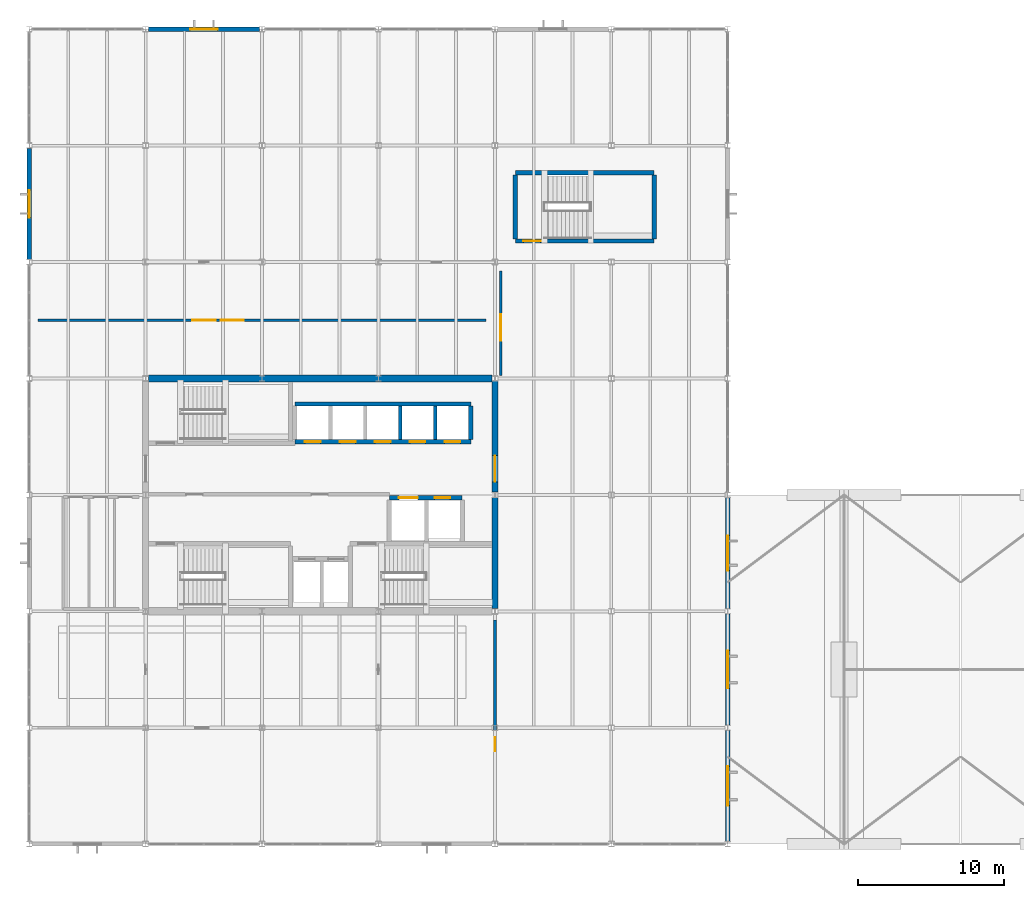
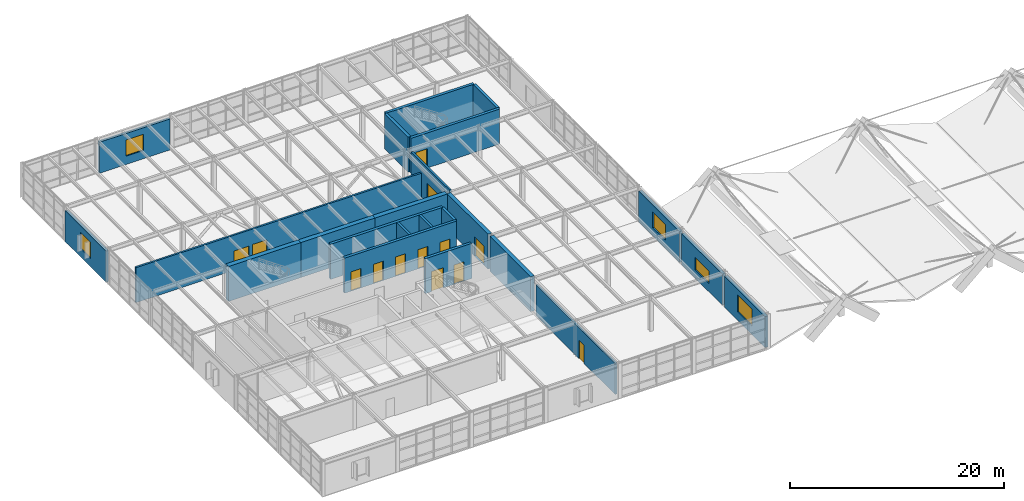
# One storey, part 43 of 50: 23 walls, 12 doors, 6 windows, 18 openings.
"""IFC4 building model written with IfcOpenShell, lengths in metres."""

from ifc_helpers import new_model, si_unit, direction, frame, frame_2d, origin, place, context, subcontext, project, spatial, rectangle, extrude, material, layer, layer_set, type_object, element, fill, save


model = new_model("IFC4")

# Units and contexts
model_context = context("Model", 3, precision=1e-05, world=origin(), true_north=direction((0.0, 1.0)))
body_context = subcontext(model_context, "Body", "Model", "MODEL_VIEW")
ifc_project = project(units=[si_unit("LENGTHUNIT", "METRE"), si_unit("AREAUNIT", "SQUARE_METRE"), si_unit("VOLUMEUNIT", "CUBIC_METRE"), si_unit("PLANEANGLEUNIT", "RADIAN"), si_unit("MASSUNIT", "GRAM", prefix="KILO")], contexts=[model_context])

# Site, building, storey
site_placement = place(None, origin())
site = spatial("IfcSite", under=ifc_project, at=site_placement, CompositionType="ELEMENT")
building_placement = place(site_placement, origin())
building = spatial("IfcBuilding", under=site, at=building_placement, Name="Varnela Railside Interchange", CompositionType="ELEMENT")
storey_placement = place(building_placement, frame((0.0, 0.0, 15.39990234375)))
storey = spatial("IfcBuildingStorey", under=building, at=storey_placement, Name="L03", CompositionType="ELEMENT", Elevation=15.39990234375)

# Wall, opening, window
ifc_material_1 = material(Name="Concrete C40 precast", Category="concrete")
ifc_layer_1 = layer(ifc_material_1, 0.320068359375)
ifc_layer_set_1 = layer_set([ifc_layer_1], Name="Concrete C40 precast")
wall_type_1 = type_object("IfcWallType", Name="Board-Formed Concrete Facade Wall EW-01", PredefinedType="STANDARD", material=ifc_layer_set_1)
wall_1_placement = place(storey_placement, frame((52.0, 61.81591796875, 0.0), z_axis=(0.0, 0.0, 1.0), x_axis=(0.0, -1.0, 0.0)))
wall_1 = element("IfcWall", 1, at=wall_1_placement, inside=storey, type_object=wall_type_1, Name="Board-Formed Concrete Facade Wall EW-01 (L03) (WL-0793)", PredefinedType="STANDARD", context=body_context, shape_type="SweptSolid", body=[
    extrude(rectangle(XDim=7.6318359375, YDim=0.320068359375, at=frame_2d((3.81591796875, 0.0))), origin(), (0.0, 0.0, 1.0), 3.5400390625),
])
opening_1_placement = place(wall_1_placement, frame((2.615966796875, 0.0, 0.949951171875)))
opening_1 = element("IfcOpeningElement", 2, at=opening_1_placement, cuts=wall_1, Name="Opening W-105", PredefinedType="OPENING", context=body_context, shape_type="SweptSolid", body=[
    extrude(rectangle(XDim=2.39990234375, YDim=1.800048828125, at=frame_2d((1.199951171875, 0.89990234375))), frame((0.0, 0.169921875, 0.0), z_axis=(0.0, -1.0, 0.0), x_axis=(1.0, 0.0, 0.0)), (0.0, 0.0, 1.0), 0.340087890625),
])
ifc_material_2 = material(Name="Glass laminated double", Category="glass")
window_type_1 = type_object("IfcWindowType", Name="Concourse Clerestory Window WN-01", PartitioningType="SINGLE_PANEL", PredefinedType="WINDOW", material=ifc_material_2)
window_1_placement = place(opening_1_placement, origin())
window_1 = element("IfcWindow", 3, at=window_1_placement, inside=storey, type_object=window_type_1, Name="Window W-105", OverallHeight=1.800048828125, OverallWidth=2.39990234375, PartitioningType="SINGLE_PANEL", PredefinedType="WINDOW", context=body_context, shape_type="SweptSolid", body=[
    extrude(rectangle(XDim=2.39990234375, YDim=1.800048828125, at=frame_2d((1.199951171875, 0.89990234375))), frame((0.0, 0.030029296875, 0.0), z_axis=(0.0, -1.0, 0.0), x_axis=(1.0, 0.0, 0.0)), (0.0, 0.0, 1.0), 0.06005859375),
])
fill(opening_1, window_1)

wall_2_placement = place(storey_placement, frame((52.0, 53.81591796875, 0.0), z_axis=(0.0, 0.0, 1.0), x_axis=(0.0, -1.0, 0.0)))
wall_2 = element("IfcWall", 4, at=wall_2_placement, inside=storey, type_object=wall_type_1, Name="Board-Formed Concrete Facade Wall EW-01 (L03) (WL-0794)", PredefinedType="STANDARD", context=body_context, shape_type="SweptSolid", body=[
    extrude(rectangle(XDim=7.6318359375, YDim=0.320068359375, at=frame_2d((3.81591796875, 0.0))), origin(), (0.0, 0.0, 1.0), 3.5400390625),
])
opening_2_placement = place(wall_2_placement, frame((2.51611328125, 0.0, 0.949951171875)))
opening_2 = element("IfcOpeningElement", 5, at=opening_2_placement, cuts=wall_2, Name="Opening W-106", PredefinedType="OPENING", context=body_context, shape_type="SweptSolid", body=[
    extrude(rectangle(XDim=2.60009765625, YDim=1.39990234375, at=frame_2d((1.300048828125, 0.699951171875))), frame((0.0, 0.169921875, 0.0), z_axis=(0.0, -1.0, 0.0), x_axis=(1.0, 0.0, 0.0)), (0.0, 0.0, 1.0), 0.340087890625),
])
window_type_2 = type_object("IfcWindowType", Name="Gallery Clerestory Strip WN-10", PartitioningType="SINGLE_PANEL", PredefinedType="WINDOW", material=ifc_material_2)
window_2_placement = place(opening_2_placement, origin())
window_2 = element("IfcWindow", 6, at=window_2_placement, inside=storey, type_object=window_type_2, Name="Window W-106", OverallHeight=1.39990234375, OverallWidth=2.60009765625, PartitioningType="SINGLE_PANEL", PredefinedType="WINDOW", context=body_context, shape_type="SweptSolid", body=[
    extrude(rectangle(XDim=2.60009765625, YDim=1.39990234375, at=frame_2d((1.300048828125, 0.699951171875))), frame((0.0, 0.030029296875, 0.0), z_axis=(0.0, -1.0, 0.0), x_axis=(1.0, 0.0, 0.0)), (0.0, 0.0, 1.0), 0.06005859375),
])
fill(opening_2, window_2)

wall_3_placement = place(storey_placement, frame((52.0, 45.81591796875, 0.0), z_axis=(0.0, 0.0, 1.0), x_axis=(0.0, -1.0, 0.0)))
wall_3 = element("IfcWall", 7, at=wall_3_placement, inside=storey, type_object=wall_type_1, Name="Board-Formed Concrete Facade Wall EW-01 (L03) (WL-0795)", PredefinedType="STANDARD", context=body_context, shape_type="SweptSolid", body=[
    extrude(rectangle(XDim=7.6318359375, YDim=0.320068359375, at=frame_2d((3.81591796875, 0.0))), origin(), (0.0, 0.0, 1.0), 3.5400390625),
])
opening_3_placement = place(wall_3_placement, frame((2.466064453125, 0.0, 0.949951171875)))
opening_3 = element("IfcOpeningElement", 8, at=opening_3_placement, cuts=wall_3, Name="Opening W-107", PredefinedType="OPENING", context=body_context, shape_type="SweptSolid", body=[
    extrude(rectangle(XDim=2.699951171875, YDim=1.949951171875, at=frame_2d((1.35009765625, 0.97509765625))), frame((0.0, 0.169921875, 0.0), z_axis=(0.0, -1.0, 0.0), x_axis=(1.0, 0.0, 0.0)), (0.0, 0.0, 1.0), 0.340087890625),
])
window_type_3 = type_object("IfcWindowType", Name="Sign-On Hall Wide Window WN-19", PartitioningType="SINGLE_PANEL", PredefinedType="WINDOW", material=ifc_material_2)
window_3_placement = place(opening_3_placement, origin())
window_3 = element("IfcWindow", 9, at=window_3_placement, inside=storey, type_object=window_type_3, Name="Window W-107", OverallHeight=1.949951171875, OverallWidth=2.699951171875, PartitioningType="SINGLE_PANEL", PredefinedType="WINDOW", context=body_context, shape_type="SweptSolid", body=[
    extrude(rectangle(XDim=2.699951171875, YDim=1.949951171875, at=frame_2d((1.35009765625, 0.97509765625))), frame((0.0, 0.030029296875, 0.0), z_axis=(0.0, -1.0, 0.0), x_axis=(1.0, 0.0, 0.0)), (0.0, 0.0, 1.0), 0.06005859375),
])
fill(opening_3, window_3)

# Wall
ifc_material_3 = material(Name="Concrete C50", Category="concrete")
ifc_layer_2 = layer(ifc_material_3, 0.39990234375)
ifc_layer_set_2 = layer_set([ifc_layer_2], Name="Concrete C50")
wall_type_2 = type_object("IfcWallType", Name="Core Coupling Shear Wall SW-02", PredefinedType="SHEAR", material=ifc_layer_set_2)
wall_4_placement = place(storey_placement, frame((36.0, 54.1875, 0.0), z_axis=(0.0, 0.0, 1.0), x_axis=(0.0, 1.0, 0.0)))
element("IfcWall", 10, at=wall_4_placement, inside=storey, type_object=wall_type_2, Name="Core Coupling Shear Wall SW-02 (L03) (WL-0758)", PredefinedType="SHEAR", context=body_context, shape_type="SweptSolid", body=[
    extrude(rectangle(XDim=7.625, YDim=0.39990234375, at=frame_2d((3.8125, 0.0))), origin(), (0.0, 0.0, 1.0), 4.0),
])

# Wall, opening, door
wall_5_placement = place(storey_placement, frame((36.0, 62.1875, 0.0), z_axis=(0.0, 0.0, 1.0), x_axis=(0.0, 1.0, 0.0)))
wall_5 = element("IfcWall", 11, at=wall_5_placement, inside=storey, type_object=wall_type_2, Name="Core Coupling Shear Wall SW-02 (L03) (WL-0759)", PredefinedType="SHEAR", context=body_context, shape_type="SweptSolid", body=[
    extrude(rectangle(XDim=7.625, YDim=0.39990234375, at=frame_2d((3.8125, 0.0))), origin(), (0.0, 0.0, 1.0), 4.0),
])
opening_4_placement = place(wall_5_placement, frame((0.7119140625, 0.0, 0.0)))
opening_4 = element("IfcOpeningElement", 12, at=opening_4_placement, cuts=wall_5, Name="Opening D-242", PredefinedType="OPENING", context=body_context, shape_type="SweptSolid", body=[
    extrude(rectangle(XDim=1.800048828125, YDim=2.199951171875, at=frame_2d((0.89990234375, 1.10009765625))), frame((0.0, 0.2099609375, 0.0), z_axis=(0.0, -1.0, 0.0), x_axis=(1.0, 0.0, 0.0)), (0.0, 0.0, 1.0), 0.419921875),
])
ifc_material_4 = material(Name="Steel AR 350 (350 MPa)", Category="steel")
door_type_1 = type_object("IfcDoorType", Name="DR-DBL-1800-FD60", OperationType="DOUBLE_DOOR_SINGLE_SWING", PredefinedType="DOOR", material=ifc_material_4)
door_1_placement = place(opening_4_placement, origin())
door_1 = element("IfcDoor", 13, at=door_1_placement, inside=storey, type_object=door_type_1, Name="Door D-242", OperationType="DOUBLE_DOOR_SINGLE_SWING", OverallHeight=2.199951171875, OverallWidth=1.800048828125, PredefinedType="DOOR", context=body_context, shape_type="SweptSolid", body=[
    extrude(rectangle(XDim=1.800048828125, YDim=2.199951171875, at=frame_2d((0.89990234375, 1.10009765625))), frame((0.0, 0.02490234375, 0.0), z_axis=(0.0, -1.0, 0.0), x_axis=(1.0, 0.0, 0.0)), (0.0, 0.0, 1.0), 0.050048828125),
])
fill(opening_4, door_1)

# Walls
ifc_layer_3 = layer(ifc_material_3, 0.5)
ifc_layer_set_3 = layer_set([ifc_layer_3], Name="Concrete C50")
wall_type_3 = type_object("IfcWallType", Name="Core Primary Shear Wall SW-01", PredefinedType="SHEAR", material=ifc_layer_set_3)
wall_6_placement = place(storey_placement, frame((12.197021484375, 70.0, 0.0), z_axis=(0.0, 0.0, 1.0), x_axis=(1.0, 0.0, 0.0)))
element("IfcWall", 14, at=wall_6_placement, inside=storey, type_object=wall_type_3, Name="Core Primary Shear Wall SW-01 (L03) (WL-0775)", PredefinedType="SHEAR", context=body_context, shape_type="SweptSolid", body=[
    extrude(rectangle(XDim=7.802978515625, YDim=0.5, at=frame_2d((3.9013671875, 0.0))), origin(), (0.0, 0.0, 1.0), 4.0),
])
wall_7_placement = place(storey_placement, frame((20.0, 70.0, 0.0), z_axis=(0.0, 0.0, 1.0), x_axis=(1.0, 0.0, 0.0)))
element("IfcWall", 15, at=wall_7_placement, inside=storey, type_object=wall_type_3, Name="Core Primary Shear Wall SW-01 (L03) (WL-0776)", PredefinedType="SHEAR", context=body_context, shape_type="SweptSolid", body=[
    extrude(rectangle(XDim=8.0, YDim=0.5, at=frame_2d((4.0, 0.0))), origin(), (0.0, 0.0, 1.0), 4.0),
])
wall_8_placement = place(storey_placement, frame((28.0, 70.0, 0.0), z_axis=(0.0, 0.0, 1.0), x_axis=(1.0, 0.0, 0.0)))
element("IfcWall", 16, at=wall_8_placement, inside=storey, type_object=wall_type_3, Name="Core Primary Shear Wall SW-01 (L03) (WL-0777)", PredefinedType="SHEAR", context=body_context, shape_type="SweptSolid", body=[
    extrude(rectangle(XDim=7.802978515625, YDim=0.5, at=frame_2d((3.9013671875, 0.0))), origin(), (0.0, 0.0, 1.0), 4.0),
])

# Wall, openings, door, window
ifc_material_5 = material(Name="Gypsum acoustic board")
ifc_layer_4 = layer(ifc_material_5, 0.179931640625)
ifc_layer_set_4 = layer_set([ifc_layer_4], Name="Gypsum acoustic board")
wall_type_4 = type_object("IfcWallType", Name="Double-Stud Corridor Wall IW-02", PredefinedType="PARTITIONING", material=ifc_layer_set_4)
wall_9_placement = place(storey_placement, frame((4.60009765625, 74.0, 0.0), z_axis=(0.0, 0.0, 1.0), x_axis=(1.0, 0.0, 0.0)))
wall_9 = element("IfcWall", 17, at=wall_9_placement, inside=storey, type_object=wall_type_4, Name="Double-Stud Corridor Wall IW-02 (L03) (WL-0812)", PredefinedType="PARTITIONING", context=body_context, shape_type="SweptSolid", body=[
    extrude(rectangle(XDim=30.7998046875, YDim=0.199951171875, at=frame_2d((15.39990234375, 0.0))), origin(), (0.0, 0.0, 1.0), 4.0),
])
opening_5_placement = place(wall_9_placement, frame((10.60009765625, 0.0, 0.0)))
opening_5 = element("IfcOpeningElement", 18, at=opening_5_placement, cuts=wall_9, Name="Opening D-254", PredefinedType="OPENING", context=body_context, shape_type="SweptSolid", body=[
    extrude(rectangle(XDim=1.60009765625, YDim=2.199951171875, at=frame_2d((0.800048828125, 1.10009765625))), frame((0.0, 0.10986328125, 0.0), z_axis=(0.0, -1.0, 0.0), x_axis=(1.0, 0.0, 0.0)), (0.0, 0.0, 1.0), 0.219970703125),
])
opening_6_placement = place(wall_9_placement, frame((12.550048828125, 0.0, 0.949951171875)))
opening_6 = element("IfcOpeningElement", 19, at=opening_6_placement, cuts=wall_9, Name="Opening IW-016", PredefinedType="OPENING", context=body_context, shape_type="SweptSolid", body=[
    extrude(rectangle(XDim=1.60009765625, YDim=1.300048828125, at=frame_2d((0.800048828125, 0.64990234375))), frame((0.0, 0.10986328125, 0.0), z_axis=(0.0, -1.0, 0.0), x_axis=(1.0, 0.0, 0.0)), (0.0, 0.0, 1.0), 0.219970703125),
])
door_type_2 = type_object("IfcDoorType", Name="DR-DBL-1600", OperationType="DOUBLE_DOOR_SINGLE_SWING", PredefinedType="DOOR", material=ifc_material_2)
door_2_placement = place(opening_5_placement, origin())
door_2 = element("IfcDoor", 20, at=door_2_placement, inside=storey, type_object=door_type_2, Name="Door D-254", OperationType="DOUBLE_DOOR_SINGLE_SWING", OverallHeight=2.199951171875, OverallWidth=1.60009765625, PredefinedType="DOOR", context=body_context, shape_type="SweptSolid", body=[
    extrude(rectangle(XDim=1.60009765625, YDim=2.199951171875, at=frame_2d((0.800048828125, 1.10009765625))), frame((0.0, 0.02490234375, 0.0), z_axis=(0.0, -1.0, 0.0), x_axis=(1.0, 0.0, 0.0)), (0.0, 0.0, 1.0), 0.050048828125),
])
fill(opening_5, door_2)
window_type_4 = type_object("IfcWindowType", Name="Interior Acoustic Vision Window IW-WN1", PartitioningType="SINGLE_PANEL", PredefinedType="WINDOW", material=ifc_material_2)
window_4_placement = place(opening_6_placement, origin())
window_4 = element("IfcWindow", 21, at=window_4_placement, inside=storey, type_object=window_type_4, Name="Window IW-016", OverallHeight=1.300048828125, OverallWidth=1.60009765625, PartitioningType="SINGLE_PANEL", PredefinedType="WINDOW", context=body_context, shape_type="SweptSolid", body=[
    extrude(rectangle(XDim=1.60009765625, YDim=1.300048828125, at=frame_2d((0.800048828125, 0.64990234375))), frame((0.0, 0.030029296875, 0.0), z_axis=(0.0, -1.0, 0.0), x_axis=(1.0, 0.0, 0.0)), (0.0, 0.0, 1.0), 0.06005859375),
])
fill(opening_6, window_4)

# Wall, opening, door
wall_10_placement = place(storey_placement, frame((36.0, 38.60009765625, 0.0), z_axis=(0.0, 0.0, 1.0), x_axis=(0.0, 1.0, 0.0)))
wall_10 = element("IfcWall", 22, at=wall_10_placement, inside=storey, type_object=wall_type_4, Name="Double-Stud Corridor Wall IW-02 (L03) (WL-0821)", PredefinedType="PARTITIONING", context=body_context, shape_type="SweptSolid", body=[
    extrude(rectangle(XDim=14.7998046875, YDim=0.199951171875, at=frame_2d((7.39990234375, 0.0))), origin(), (0.0, 0.0, 1.0), 3.531005859375),
])
opening_7_placement = place(wall_10_placement, frame((5.800048828125, 0.0, 0.0)))
opening_7 = element("IfcOpeningElement", 23, at=opening_7_placement, cuts=wall_10, Name="Opening D-257", PredefinedType="OPENING", context=body_context, shape_type="SweptSolid", body=[
    extrude(rectangle(XDim=0.949951171875, YDim=2.10009765625, at=frame_2d((0.47509765625, 1.050048828125))), frame((0.0, 0.10986328125, 0.0), z_axis=(0.0, -1.0, 0.0), x_axis=(1.0, 0.0, 0.0)), (0.0, 0.0, 1.0), 0.219970703125),
])
ifc_material_6 = material(Name="Timber solid core", Category="wood")
door_type_3 = type_object("IfcDoorType", Name="DR-SGL-950-ACC", OperationType="NOTDEFINED", PredefinedType="DOOR", material=ifc_material_6)
door_3_placement = place(opening_7_placement, origin())
door_3 = element("IfcDoor", 24, at=door_3_placement, inside=storey, type_object=door_type_3, Name="Door D-257", OperationType="SINGLE_SWING_RIGHT", OverallHeight=2.10009765625, OverallWidth=0.949951171875, PredefinedType="DOOR", context=body_context, shape_type="SweptSolid", body=[
    extrude(rectangle(XDim=0.949951171875, YDim=2.10009765625, at=frame_2d((0.47509765625, 1.050048828125))), frame((0.0, 0.02490234375, 0.0), z_axis=(0.0, -1.0, 0.0), x_axis=(1.0, 0.0, 0.0)), (0.0, 0.0, 1.0), 0.050048828125),
])
fill(opening_7, door_3)

ifc_material_7 = material(Name="Concrete C40", Category="concrete")
ifc_layer_5 = layer(ifc_material_7, 0.199951171875)
ifc_layer_set_5 = layer_set([ifc_layer_5], Name="Concrete C40")
wall_type_5 = type_object("IfcWallType", Name="Fire Compartment Wall EI60 FW-01", PredefinedType="SOLIDWALL", material=ifc_layer_set_5)
wall_11_placement = place(storey_placement, frame((36.39990234375, 70.199951171875, 0.0), z_axis=(0.0, 0.0, 1.0), x_axis=(0.0, 1.0, 0.0)))
wall_11 = element("IfcWall", 25, at=wall_11_placement, inside=storey, type_object=wall_type_5, Name="Fire Compartment Wall EI60 FW-01 (L03) (WL-0824)", PredefinedType="SOLIDWALL", context=body_context, shape_type="SweptSolid", body=[
    extrude(rectangle(XDim=7.199951171875, YDim=0.199951171875, at=frame_2d((3.60009765625, 0.0))), origin(), (0.0, 0.0, 1.0), 4.0),
])
opening_8_placement = place(wall_11_placement, frame((2.39990234375, 0.0, 0.0)))
opening_8 = element("IfcOpeningElement", 26, at=opening_8_placement, cuts=wall_11, Name="Opening D-255", PredefinedType="OPENING", context=body_context, shape_type="SweptSolid", body=[
    extrude(rectangle(XDim=1.800048828125, YDim=2.199951171875, at=frame_2d((0.89990234375, 1.10009765625))), frame((0.0, 0.10986328125, 0.0), z_axis=(0.0, -1.0, 0.0), x_axis=(1.0, 0.0, 0.0)), (0.0, 0.0, 1.0), 0.219970703125),
])
door_4_placement = place(opening_8_placement, origin())
door_4 = element("IfcDoor", 27, at=door_4_placement, inside=storey, type_object=door_type_1, Name="Door D-255", OperationType="DOUBLE_DOOR_SINGLE_SWING", OverallHeight=2.199951171875, OverallWidth=1.800048828125, PredefinedType="DOOR", context=body_context, shape_type="SweptSolid", body=[
    extrude(rectangle(XDim=1.800048828125, YDim=2.199951171875, at=frame_2d((0.89990234375, 1.10009765625))), frame((0.0, 0.02490234375, 0.0), z_axis=(0.0, -1.0, 0.0), x_axis=(1.0, 0.0, 0.0)), (0.0, 0.0, 1.0), 0.050048828125),
])
fill(opening_8, door_4)

# Wall, opening, window
ifc_layer_6 = layer(ifc_material_1, 0.280029296875)
ifc_layer_set_6 = layer_set([ifc_layer_6], Name="Concrete C40 precast")
wall_type_6 = type_object("IfcWallType", Name="Ribbed Precast Concrete Facade Wall EW-02", PredefinedType="STANDARD", material=ifc_layer_set_6)
wall_12_placement = place(storey_placement, frame((4.0, 78.18408203125, 0.0), z_axis=(0.0, 0.0, 1.0), x_axis=(0.0, 1.0, 0.0)))
wall_12 = element("IfcWall", 28, at=wall_12_placement, inside=storey, type_object=wall_type_6, Name="Ribbed Precast Concrete Facade Wall EW-02 (L03) (WL-0789)", PredefinedType="STANDARD", context=body_context, shape_type="SweptSolid", body=[
    extrude(rectangle(XDim=7.6318359375, YDim=0.280029296875, at=frame_2d((3.81591796875, 0.0))), origin(), (0.0, 0.0, 1.0), 3.5400390625),
])
opening_9_placement = place(wall_12_placement, frame((2.865966796875, 0.0, 0.949951171875)))
opening_9 = element("IfcOpeningElement", 29, at=opening_9_placement, cuts=wall_12, Name="Opening W-101", PredefinedType="OPENING", context=body_context, shape_type="SweptSolid", body=[
    extrude(rectangle(XDim=1.89990234375, YDim=1.85009765625, at=frame_2d((0.949951171875, 0.925048828125))), frame((0.0, 0.14990234375, 0.0), z_axis=(0.0, -1.0, 0.0), x_axis=(1.0, 0.0, 0.0)), (0.0, 0.0, 1.0), 0.300048828125),
])
window_type_5 = type_object("IfcWindowType", Name="Canteen Deep-Set Window WN-11", PartitioningType="SINGLE_PANEL", PredefinedType="WINDOW", material=ifc_material_2)
window_5_placement = place(opening_9_placement, origin())
window_5 = element("IfcWindow", 30, at=window_5_placement, inside=storey, type_object=window_type_5, Name="Window W-101", OverallHeight=1.85009765625, OverallWidth=1.89990234375, PartitioningType="SINGLE_PANEL", PredefinedType="WINDOW", context=body_context, shape_type="SweptSolid", body=[
    extrude(rectangle(XDim=1.89990234375, YDim=1.85009765625, at=frame_2d((0.949951171875, 0.925048828125))), frame((0.0, 0.030029296875, 0.0), z_axis=(0.0, -1.0, 0.0), x_axis=(1.0, 0.0, 0.0)), (0.0, 0.0, 1.0), 0.06005859375),
])
fill(opening_9, window_5)

wall_13_placement = place(storey_placement, frame((12.1865234375, 94.0, 0.0), z_axis=(0.0, 0.0, 1.0), x_axis=(1.0, 0.0, 0.0)))
wall_13 = element("IfcWall", 31, at=wall_13_placement, inside=storey, type_object=wall_type_6, Name="Ribbed Precast Concrete Facade Wall EW-02 (L03) (WL-0790)", PredefinedType="STANDARD", context=body_context, shape_type="SweptSolid", body=[
    extrude(rectangle(XDim=7.626953125, YDim=0.280029296875, at=frame_2d((3.8134765625, 0.0))), origin(), (0.0, 0.0, 1.0), 3.5400390625),
])
opening_10_placement = place(wall_13_placement, frame((2.863525390625, 0.0, 0.949951171875)))
opening_10 = element("IfcOpeningElement", 32, at=opening_10_placement, cuts=wall_13, Name="Opening W-102", PredefinedType="OPENING", context=body_context, shape_type="SweptSolid", body=[
    extrude(rectangle(XDim=1.89990234375, YDim=1.85009765625, at=frame_2d((0.949951171875, 0.925048828125))), frame((0.0, 0.14990234375, 0.0), z_axis=(0.0, -1.0, 0.0), x_axis=(1.0, 0.0, 0.0)), (0.0, 0.0, 1.0), 0.300048828125),
])
window_6_placement = place(opening_10_placement, origin())
window_6 = element("IfcWindow", 33, at=window_6_placement, inside=storey, type_object=window_type_5, Name="Window W-102", OverallHeight=1.85009765625, OverallWidth=1.89990234375, PartitioningType="SINGLE_PANEL", PredefinedType="WINDOW", context=body_context, shape_type="SweptSolid", body=[
    extrude(rectangle(XDim=1.89990234375, YDim=1.85009765625, at=frame_2d((0.949951171875, 0.925048828125))), frame((0.0, 0.030029296875, 0.0), z_axis=(0.0, -1.0, 0.0), x_axis=(1.0, 0.0, 0.0)), (0.0, 0.0, 1.0), 0.06005859375),
])
fill(opening_10, window_6)

# Wall, openings, doors
ifc_layer_7 = layer(ifc_material_3, 0.300048828125)
ifc_layer_set_7 = layer_set([ifc_layer_7], Name="Concrete C50")
wall_type_7 = type_object("IfcWallType", Name="Stair & Lift Shaft Wall SW-03", PredefinedType="SHEAR", material=ifc_layer_set_7)
wall_14_placement = place(storey_placement, frame((28.75, 61.800048828125, 0.0), z_axis=(0.0, 0.0, 1.0), x_axis=(1.0, 0.0, 0.0)))
wall_14 = element("IfcWall", 34, at=wall_14_placement, inside=storey, type_object=wall_type_7, Name="Stair & Lift Shaft Wall SW-03 (L03) (WL-0765)", PredefinedType="SHEAR", context=body_context, shape_type="SweptSolid", body=[
    extrude(rectangle(XDim=5.0, YDim=0.300048828125, at=frame_2d((2.5, 0.0))), origin(), (0.0, 0.0, 1.0), 4.0),
])
opening_11_placement = place(wall_14_placement, frame((0.64990234375, 0.0, 0.0)))
opening_11 = element("IfcOpeningElement", 35, at=opening_11_placement, cuts=wall_14, Name="Opening LD-057", PredefinedType="OPENING", context=body_context, shape_type="SweptSolid", body=[
    extrude(rectangle(XDim=1.300048828125, YDim=2.300048828125, at=frame_2d((0.64990234375, 1.14990234375))), frame((0.0, 0.159912109375, 0.0), z_axis=(0.0, -1.0, 0.0), x_axis=(1.0, 0.0, 0.0)), (0.0, 0.0, 1.0), 0.320068359375),
])
opening_12_placement = place(wall_14_placement, frame((3.10009765625, 0.0, 0.0)))
opening_12 = element("IfcOpeningElement", 36, at=opening_12_placement, cuts=wall_14, Name="Opening LD-058", PredefinedType="OPENING", context=body_context, shape_type="SweptSolid", body=[
    extrude(rectangle(XDim=1.080078125, YDim=2.199951171875, at=frame_2d((0.5400390625, 1.10009765625))), frame((0.0, 0.159912109375, 0.0), z_axis=(0.0, -1.0, 0.0), x_axis=(1.0, 0.0, 0.0)), (0.0, 0.0, 1.0), 0.320068359375),
])
door_type_4 = type_object("IfcDoorType", Name="DR-LIFT-1080", OperationType="SLIDING_TO_LEFT", PredefinedType="DOOR", material=ifc_material_4)
door_5_placement = place(opening_12_placement, origin())
door_5 = element("IfcDoor", 37, at=door_5_placement, inside=storey, type_object=door_type_4, Name="Door LD-058", OperationType="SLIDING_TO_LEFT", OverallHeight=2.199951171875, OverallWidth=1.080078125, PredefinedType="DOOR", context=body_context, shape_type="SweptSolid", body=[
    extrude(rectangle(XDim=1.080078125, YDim=2.199951171875, at=frame_2d((0.5400390625, 1.10009765625))), frame((0.0, 0.02490234375, 0.0), z_axis=(0.0, -1.0, 0.0), x_axis=(1.0, 0.0, 0.0)), (0.0, 0.0, 1.0), 0.050048828125),
])
fill(opening_12, door_5)
door_type_5 = type_object("IfcDoorType", Name="DR-LIFT-1300", OperationType="SLIDING_TO_LEFT", PredefinedType="DOOR", material=ifc_material_4)
door_6_placement = place(opening_11_placement, origin())
door_6 = element("IfcDoor", 38, at=door_6_placement, inside=storey, type_object=door_type_5, Name="Door LD-057", OperationType="SLIDING_TO_LEFT", OverallHeight=2.300048828125, OverallWidth=1.300048828125, PredefinedType="DOOR", context=body_context, shape_type="SweptSolid", body=[
    extrude(rectangle(XDim=1.300048828125, YDim=2.300048828125, at=frame_2d((0.64990234375, 1.14990234375))), frame((0.0, 0.02490234375, 0.0), z_axis=(0.0, -1.0, 0.0), x_axis=(1.0, 0.0, 0.0)), (0.0, 0.0, 1.0), 0.050048828125),
])
fill(opening_11, door_6)

wall_15_placement = place(storey_placement, frame((22.25, 65.64990234375, 0.0), z_axis=(0.0, 0.0, 1.0), x_axis=(1.0, 0.0, 0.0)))
wall_15 = element("IfcWall", 39, at=wall_15_placement, inside=storey, type_object=wall_type_7, Name="Stair & Lift Shaft Wall SW-03 (L03) (WL-0773)", PredefinedType="SHEAR", context=body_context, shape_type="SweptSolid", body=[
    extrude(rectangle(XDim=12.10009765625, YDim=0.300048828125, at=frame_2d((6.050048828125, 0.0))), origin(), (0.0, 0.0, 1.0), 4.0),
])
opening_13_placement = place(wall_15_placement, frame((0.699951171875, 0.0, 0.0)))
opening_13 = element("IfcOpeningElement", 40, at=opening_13_placement, cuts=wall_15, Name="Opening LD-059", PredefinedType="OPENING", context=body_context, shape_type="SweptSolid", body=[
    extrude(rectangle(XDim=1.080078125, YDim=2.199951171875, at=frame_2d((0.5400390625, 1.10009765625))), frame((0.0, 0.159912109375, 0.0), z_axis=(0.0, -1.0, 0.0), x_axis=(1.0, 0.0, 0.0)), (0.0, 0.0, 1.0), 0.320068359375),
])
opening_14_placement = place(wall_15_placement, frame((3.10009765625, 0.0, 0.0)))
opening_14 = element("IfcOpeningElement", 41, at=opening_14_placement, cuts=wall_15, Name="Opening LD-060", PredefinedType="OPENING", context=body_context, shape_type="SweptSolid", body=[
    extrude(rectangle(XDim=1.080078125, YDim=2.199951171875, at=frame_2d((0.5400390625, 1.10009765625))), frame((0.0, 0.159912109375, 0.0), z_axis=(0.0, -1.0, 0.0), x_axis=(1.0, 0.0, 0.0)), (0.0, 0.0, 1.0), 0.320068359375),
])
opening_15_placement = place(wall_15_placement, frame((5.5, 0.0, 0.0)))
opening_15 = element("IfcOpeningElement", 42, at=opening_15_placement, cuts=wall_15, Name="Opening LD-061", PredefinedType="OPENING", context=body_context, shape_type="SweptSolid", body=[
    extrude(rectangle(XDim=1.080078125, YDim=2.199951171875, at=frame_2d((0.5400390625, 1.10009765625))), frame((0.0, 0.159912109375, 0.0), z_axis=(0.0, -1.0, 0.0), x_axis=(1.0, 0.0, 0.0)), (0.0, 0.0, 1.0), 0.320068359375),
])
opening_16_placement = place(wall_15_placement, frame((7.89990234375, 0.0, 0.0)))
opening_16 = element("IfcOpeningElement", 43, at=opening_16_placement, cuts=wall_15, Name="Opening LD-062", PredefinedType="OPENING", context=body_context, shape_type="SweptSolid", body=[
    extrude(rectangle(XDim=1.080078125, YDim=2.199951171875, at=frame_2d((0.5400390625, 1.10009765625))), frame((0.0, 0.159912109375, 0.0), z_axis=(0.0, -1.0, 0.0), x_axis=(1.0, 0.0, 0.0)), (0.0, 0.0, 1.0), 0.320068359375),
])
opening_17_placement = place(wall_15_placement, frame((10.300048828125, 0.0, 0.0)))
opening_17 = element("IfcOpeningElement", 44, at=opening_17_placement, cuts=wall_15, Name="Opening LD-063", PredefinedType="OPENING", context=body_context, shape_type="SweptSolid", body=[
    extrude(rectangle(XDim=1.080078125, YDim=2.199951171875, at=frame_2d((0.5400390625, 1.10009765625))), frame((0.0, 0.159912109375, 0.0), z_axis=(0.0, -1.0, 0.0), x_axis=(1.0, 0.0, 0.0)), (0.0, 0.0, 1.0), 0.320068359375),
])
door_7_placement = place(opening_13_placement, origin())
door_7 = element("IfcDoor", 45, at=door_7_placement, inside=storey, type_object=door_type_4, Name="Door LD-059", OperationType="SLIDING_TO_LEFT", OverallHeight=2.199951171875, OverallWidth=1.080078125, PredefinedType="DOOR", context=body_context, shape_type="SweptSolid", body=[
    extrude(rectangle(XDim=1.080078125, YDim=2.199951171875, at=frame_2d((0.5400390625, 1.10009765625))), frame((0.0, 0.02490234375, 0.0), z_axis=(0.0, -1.0, 0.0), x_axis=(1.0, 0.0, 0.0)), (0.0, 0.0, 1.0), 0.050048828125),
])
fill(opening_13, door_7)
door_8_placement = place(opening_14_placement, origin())
door_8 = element("IfcDoor", 46, at=door_8_placement, inside=storey, type_object=door_type_4, Name="Door LD-060", OperationType="SLIDING_TO_LEFT", OverallHeight=2.199951171875, OverallWidth=1.080078125, PredefinedType="DOOR", context=body_context, shape_type="SweptSolid", body=[
    extrude(rectangle(XDim=1.080078125, YDim=2.199951171875, at=frame_2d((0.5400390625, 1.10009765625))), frame((0.0, 0.02490234375, 0.0), z_axis=(0.0, -1.0, 0.0), x_axis=(1.0, 0.0, 0.0)), (0.0, 0.0, 1.0), 0.050048828125),
])
fill(opening_14, door_8)
door_9_placement = place(opening_15_placement, origin())
door_9 = element("IfcDoor", 47, at=door_9_placement, inside=storey, type_object=door_type_4, Name="Door LD-061", OperationType="SLIDING_TO_LEFT", OverallHeight=2.199951171875, OverallWidth=1.080078125, PredefinedType="DOOR", context=body_context, shape_type="SweptSolid", body=[
    extrude(rectangle(XDim=1.080078125, YDim=2.199951171875, at=frame_2d((0.5400390625, 1.10009765625))), frame((0.0, 0.02490234375, 0.0), z_axis=(0.0, -1.0, 0.0), x_axis=(1.0, 0.0, 0.0)), (0.0, 0.0, 1.0), 0.050048828125),
])
fill(opening_15, door_9)
door_10_placement = place(opening_16_placement, origin())
door_10 = element("IfcDoor", 48, at=door_10_placement, inside=storey, type_object=door_type_4, Name="Door LD-062", OperationType="SLIDING_TO_LEFT", OverallHeight=2.199951171875, OverallWidth=1.080078125, PredefinedType="DOOR", context=body_context, shape_type="SweptSolid", body=[
    extrude(rectangle(XDim=1.080078125, YDim=2.199951171875, at=frame_2d((0.5400390625, 1.10009765625))), frame((0.0, 0.02490234375, 0.0), z_axis=(0.0, -1.0, 0.0), x_axis=(1.0, 0.0, 0.0)), (0.0, 0.0, 1.0), 0.050048828125),
])
fill(opening_16, door_10)
door_11_placement = place(opening_17_placement, origin())
door_11 = element("IfcDoor", 49, at=door_11_placement, inside=storey, type_object=door_type_4, Name="Door LD-063", OperationType="SLIDING_TO_LEFT", OverallHeight=2.199951171875, OverallWidth=1.080078125, PredefinedType="DOOR", context=body_context, shape_type="SweptSolid", body=[
    extrude(rectangle(XDim=1.080078125, YDim=2.199951171875, at=frame_2d((0.5400390625, 1.10009765625))), frame((0.0, 0.02490234375, 0.0), z_axis=(0.0, -1.0, 0.0), x_axis=(1.0, 0.0, 0.0)), (0.0, 0.0, 1.0), 0.050048828125),
])
fill(opening_17, door_11)

# Walls
wall_16_placement = place(storey_placement, frame((22.25, 68.25, 0.0), z_axis=(0.0, 0.0, 1.0), x_axis=(1.0, 0.0, 0.0)))
element("IfcWall", 50, at=wall_16_placement, inside=storey, type_object=wall_type_7, Name="Stair & Lift Shaft Wall SW-03 (L03) (WL-0772)", PredefinedType="SHEAR", context=body_context, shape_type="SweptSolid", body=[
    extrude(rectangle(XDim=12.10009765625, YDim=0.300048828125, at=frame_2d((6.050048828125, 0.0))), origin(), (0.0, 0.0, 1.0), 4.0),
])
wall_17_placement = place(storey_placement, frame((34.35009765625, 65.800048828125, 0.0), z_axis=(0.0, 0.0, 1.0), x_axis=(0.0, 1.0, 0.0)))
element("IfcWall", 51, at=wall_17_placement, inside=storey, type_object=wall_type_7, Name="Stair & Lift Shaft Wall SW-03 (L03) (WL-0771)", PredefinedType="SHEAR", context=body_context, shape_type="SweptSolid", body=[
    extrude(rectangle(XDim=2.300048828125, YDim=0.300048828125, at=frame_2d((1.14990234375, 0.0))), origin(), (0.0, 0.0, 1.0), 4.0),
])
for number, where, z_axis, x_axis, name in (
    (52, (29.5, 65.800048828125, 0.0), (0.0, 0.0, 1.0), (0.0, 1.0, 0.0), "Stair & Lift Shaft Wall SW-03 (L03) (WL-0769)"),
    (53, (31.89990234375, 65.800048828125, 0.0), (0.0, 0.0, 1.0), (0.0, 1.0, 0.0), "Stair & Lift Shaft Wall SW-03 (L03) (WL-0770)"),
):
    element("IfcWall", number, at=place(storey_placement, frame(where, z_axis=z_axis, x_axis=x_axis)), inside=storey, type_object=wall_type_7, Name=name, PredefinedType="SHEAR", context=body_context, shape_type="SweptSolid", body=[
        extrude(rectangle(XDim=2.300048828125, YDim=0.25, at=frame_2d((1.14990234375, 0.0))), origin(), (0.0, 0.0, 1.0), 4.0),
    ])
wall_18_placement = place(storey_placement, frame((37.39990234375, 84.14990234375, 0.0), z_axis=(0.0, 0.0, 1.0), x_axis=(1.0, 0.0, 0.0)))
element("IfcWall", 54, at=wall_18_placement, inside=storey, type_object=wall_type_7, Name="Stair & Lift Shaft Wall SW-03 (L03) (WL-0843)", PredefinedType="SHEAR", context=body_context, shape_type="SweptSolid", body=[
    extrude(rectangle(XDim=9.550048828125, YDim=0.300048828125, at=frame_2d((4.77490234375, 0.0))), origin(), (0.0, 0.0, 1.0), 4.0),
])

# Wall, opening, door
wall_19_placement = place(storey_placement, frame((37.39990234375, 79.449951171875, 0.0), z_axis=(0.0, 0.0, 1.0), x_axis=(1.0, 0.0, 0.0)))
wall_19 = element("IfcWall", 55, at=wall_19_placement, inside=storey, type_object=wall_type_7, Name="Stair & Lift Shaft Wall SW-03 (L03) (WL-0844)", PredefinedType="SHEAR", context=body_context, shape_type="SweptSolid", body=[
    extrude(rectangle(XDim=9.550048828125, YDim=0.300048828125, at=frame_2d((4.77490234375, 0.0))), origin(), (0.0, 0.0, 1.0), 4.0),
])
opening_18_placement = place(wall_19_placement, frame((0.550048828125, 0.0, 0.0)))
opening_18 = element("IfcOpeningElement", 56, at=opening_18_placement, cuts=wall_19, Name="Opening D-245", PredefinedType="OPENING", context=body_context, shape_type="SweptSolid", body=[
    extrude(rectangle(XDim=1.199951171875, YDim=2.199951171875, at=frame_2d((0.60009765625, 1.10009765625))), frame((0.0, 0.159912109375, 0.0), z_axis=(0.0, -1.0, 0.0), x_axis=(1.0, 0.0, 0.0)), (0.0, 0.0, 1.0), 0.320068359375),
])
door_type_6 = type_object("IfcDoorType", Name="DR-SGL-1200-FD90", OperationType="NOTDEFINED", PredefinedType="DOOR", material=ifc_material_4)
door_12_placement = place(opening_18_placement, origin())
door_12 = element("IfcDoor", 57, at=door_12_placement, inside=storey, type_object=door_type_6, Name="Door D-245", OperationType="SINGLE_SWING_LEFT", OverallHeight=2.199951171875, OverallWidth=1.199951171875, PredefinedType="DOOR", context=body_context, shape_type="SweptSolid", body=[
    extrude(rectangle(XDim=1.199951171875, YDim=2.199951171875, at=frame_2d((0.60009765625, 1.10009765625))), frame((0.0, 0.02490234375, 0.0), z_axis=(0.0, -1.0, 0.0), x_axis=(1.0, 0.0, 0.0)), (0.0, 0.0, 1.0), 0.050048828125),
])
fill(opening_18, door_12)

# Walls
for number, where, z_axis, x_axis, name in (
    (58, (37.39990234375, 79.60009765625, 0.0), (0.0, 0.0, 1.0), (0.0, 1.0, 0.0), "Stair & Lift Shaft Wall SW-03 (L03) (WL-0845)"),
    (59, (46.949951171875, 79.60009765625, 0.0), (0.0, 0.0, 1.0), (0.0, 1.0, 0.0), "Stair & Lift Shaft Wall SW-03 (L03) (WL-0842)"),
):
    element("IfcWall", number, at=place(storey_placement, frame(where, z_axis=z_axis, x_axis=x_axis)), inside=storey, type_object=wall_type_7, Name=name, PredefinedType="SHEAR", context=body_context, shape_type="SweptSolid", body=[
        extrude(rectangle(XDim=4.39990234375, YDim=0.300048828125, at=frame_2d((2.199951171875, 0.0))), origin(), (0.0, 0.0, 1.0), 4.0),
    ])

save(model, "model.ifc")
